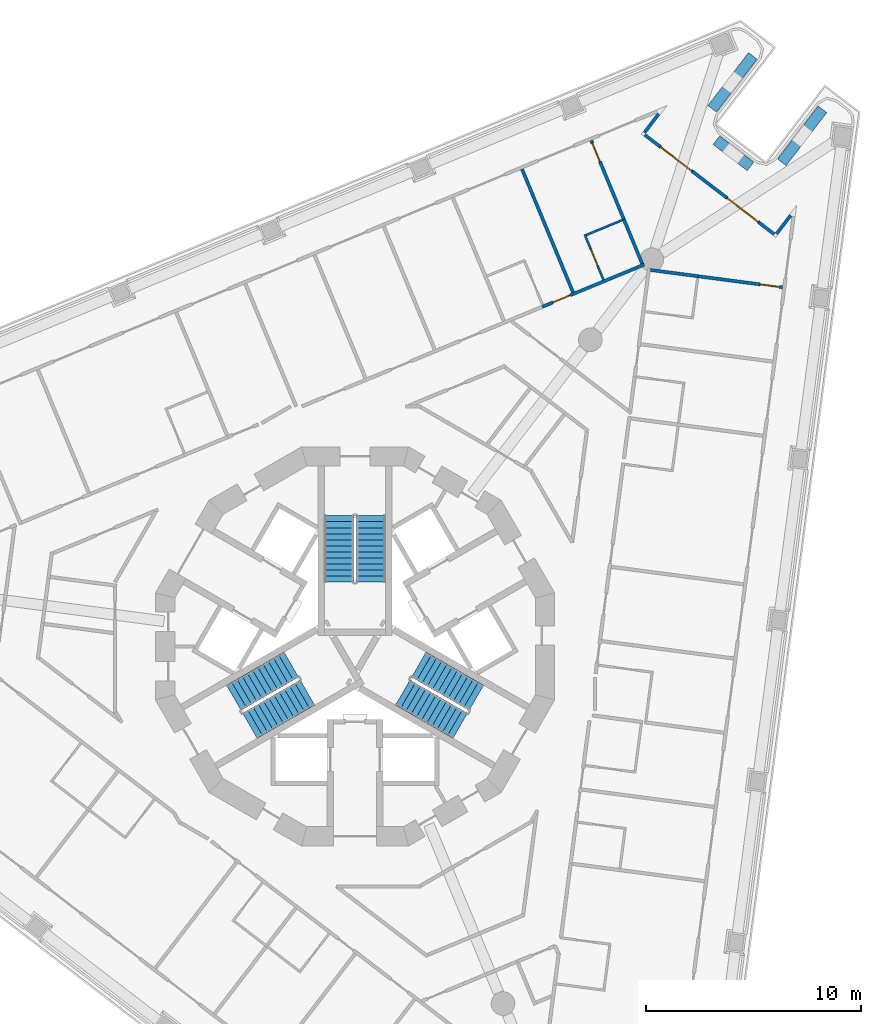
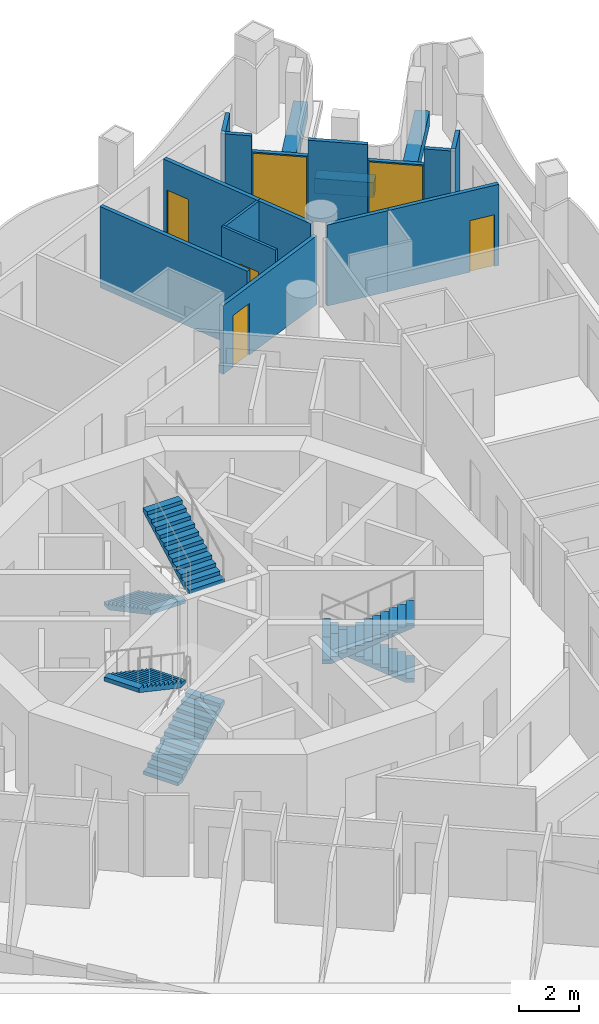
# One storey, part 10 of 17: 18 walls, 6 doors, 6 stair flights, 6 openings, 3 elements without a shape of their own.
"""IFC4 building model written with IfcOpenShell, lengths in metres."""

from ifc_helpers import new_model, si_unit, direction, frame, frame_2d, origin, place, context, subcontext, project, spatial, polyline, rectangle, outline, extrude, material, layer, layer_set, type_object, element, fill, aggregate, save


model = new_model("IFC4")

# Units and contexts
model_context = context("Model", 3, precision=1e-05, world=origin(), true_north=direction((0.0, 1.0)))
body_context = subcontext(model_context, "Body", "Model", "MODEL_VIEW")
ifc_project = project(units=[si_unit("LENGTHUNIT", "METRE"), si_unit("AREAUNIT", "SQUARE_METRE"), si_unit("VOLUMEUNIT", "CUBIC_METRE"), si_unit("PLANEANGLEUNIT", "RADIAN"), si_unit("MASSUNIT", "GRAM", prefix="KILO")], contexts=[model_context])

# Site, building, storey
site_placement = place(None, origin())
site = spatial("IfcSite", under=ifc_project, at=site_placement, CompositionType="ELEMENT")
building_placement = place(site_placement, origin())
building = spatial("IfcBuilding", under=site, at=building_placement, Name="Trine Commons Tower", CompositionType="ELEMENT")
storey_placement = place(building_placement, frame((0.0, 0.0, 127.800048828125)))
storey = spatial("IfcBuildingStorey", under=building, at=storey_placement, Name="L32", CompositionType="ELEMENT", Elevation=127.800048828125)

# Walls
ifc_material_1 = material(Name="Aluminium-framed insulated wall panel", Category="aluminium")
ifc_layer_1 = layer(ifc_material_1, 0.14990234375)
ifc_layer_set_1 = layer_set([ifc_layer_1], Name="Aluminium-framed insulated wall panel")
wall_type_1 = type_object("IfcWallType", Name="Glazed frame wall 150, EI 60", PredefinedType="SOLIDWALL", material=ifc_layer_set_1)
wall_1_placement = place(storey_placement, frame((94.193115234375, 87.345703125, 0.0), z_axis=(0.0, 0.0, 1.0), x_axis=(-0.608762998157, -0.793352136239, 0.0)))
element("IfcWall", 1, at=wall_1_placement, inside=storey, type_object=wall_type_1, Name="Glazed frame wall R5", PredefinedType="SOLIDWALL", context=body_context, shape_type="SweptSolid", body=[
    extrude(outline(polyline([(0.1494140625, 0.074951171875), (0.1494140625, -0.074951171875), (1.235107421875, -0.074951171875), (1.235107421875, 0.074951171875), (0.1494140625, 0.074951171875)])), origin(), (0.0, 0.0, 1.0), 3.300048828125),
])
wall_2_placement = place(storey_placement, frame((93.36767578125, 86.32763671875, 0.0), z_axis=(0.0, 0.0, 1.0), x_axis=(0.793331259853, -0.608790203715, 0.0)))
element("IfcWall", 2, at=wall_2_placement, inside=storey, type_object=wall_type_1, Name="Glazed frame wall P2.1", PredefinedType="SOLIDWALL", context=body_context, shape_type="SweptSolid", body=[
    extrude(outline(polyline([(0.110107421875, -0.074951171875), (1.0, -0.074951171875), (1.0, 0.074951171875), (0.110107421875, 0.074951171875), (0.110107421875, -0.074951171875)])), origin(), (0.0, 0.0, 1.0), 3.300048828125),
])

# Wall, opening, door
wall_3_placement = place(storey_placement, frame((94.1611328125, 85.71875, 0.0), z_axis=(0.0, 0.0, 1.0), x_axis=(0.793382932281, -0.608722862036, 0.0)))
wall_3 = element("IfcWall", 3, at=wall_3_placement, inside=storey, type_object=wall_type_1, Name="Glazed frame wall P2.2", PredefinedType="SOLIDWALL", context=body_context, shape_type="SweptSolid", body=[
    extrude(outline(polyline([(0.0, -0.074951171875), (1.89990234375, -0.074951171875), (1.89990234375, 0.074951171875), (0.0, 0.074951171875), (0.0, -0.074951171875)])), origin(), (0.0, 0.0, 1.0), 2.64990234375),
])
opening_1_placement = place(wall_3_placement, frame((0.050048828125, 0.0, 0.0)))
opening_1 = element("IfcOpeningElement", 4, at=opening_1_placement, cuts=wall_3, Name="Opening BD-4P2-01", PredefinedType="OPENING", context=body_context, shape_type="SweptSolid", body=[
    extrude(rectangle(XDim=1.800048828125, YDim=2.60009765625, at=frame_2d((0.89990234375, 1.300048828125))), frame((0.0, 0.0849609375, 0.0), z_axis=(0.0, -1.0, 0.0), x_axis=(1.0, 0.0, 0.0)), (0.0, 0.0, 1.0), 0.169921875),
])
ifc_material_2 = material(Name="Anodised aluminium frame with double glazing", Category="aluminium")
door_type_1 = type_object("IfcDoorType", Name="Sliding loggia door 1800x2600", OperationType="SLIDING_TO_LEFT", PredefinedType="DOOR", material=ifc_material_2)
door_1_placement = place(opening_1_placement, origin())
door_1 = element("IfcDoor", 5, at=door_1_placement, inside=storey, type_object=door_type_1, Name="Loggia door P2 1", OperationType="SLIDING_TO_LEFT", OverallHeight=2.60009765625, OverallWidth=1.800048828125, PredefinedType="DOOR", context=body_context, shape_type="SweptSolid", body=[
    extrude(rectangle(XDim=1.800048828125, YDim=2.60009765625, at=frame_2d((0.89990234375, 1.300048828125))), frame((0.0, 0.02490234375, 0.0), z_axis=(0.0, -1.0, 0.0), x_axis=(1.0, 0.0, 0.0)), (0.0, 0.0, 1.0), 0.050048828125),
])
fill(opening_1, door_1)

# Wall
wall_4_placement = place(storey_placement, frame((95.66845703125, 84.562255859375, 0.0), z_axis=(0.0, 0.0, 1.0), x_axis=(0.793344974033, -0.608772331974, 0.0)))
element("IfcWall", 6, at=wall_4_placement, inside=storey, type_object=wall_type_1, Name="Glazed frame wall P2.3", PredefinedType="SOLIDWALL", context=body_context, shape_type="SweptSolid", body=[
    extrude(outline(polyline([(0.0, -0.074951171875), (2.0, -0.074951171875), (2.0, 0.074951171875), (0.0, 0.074951171875), (0.0, -0.074951171875)])), origin(), (0.0, 0.0, 1.0), 3.300048828125),
])

# Wall, opening, door
wall_5_placement = place(storey_placement, frame((97.255126953125, 83.3447265625, 0.0), z_axis=(0.0, 0.0, 1.0), x_axis=(0.793320872023, -0.608803740143, 0.0)))
wall_5 = element("IfcWall", 7, at=wall_5_placement, inside=storey, type_object=wall_type_1, Name="Glazed frame wall P2.4", PredefinedType="SOLIDWALL", context=body_context, shape_type="SweptSolid", body=[
    extrude(outline(polyline([(0.0, -0.074951171875), (1.89990234375, -0.074951171875), (1.89990234375, 0.074951171875), (0.0, 0.074951171875), (0.0, -0.074951171875)])), origin(), (0.0, 0.0, 1.0), 2.64990234375),
])
opening_2_placement = place(wall_5_placement, frame((0.050048828125, 0.0, 0.0)))
opening_2 = element("IfcOpeningElement", 8, at=opening_2_placement, cuts=wall_5, Name="Opening BD-4P2-02", PredefinedType="OPENING", context=body_context, shape_type="SweptSolid", body=[
    extrude(rectangle(XDim=1.800048828125, YDim=2.60009765625, at=frame_2d((0.89990234375, 1.300048828125))), frame((0.0, 0.0849609375, 0.0), z_axis=(0.0, -1.0, 0.0), x_axis=(1.0, 0.0, 0.0)), (0.0, 0.0, 1.0), 0.169921875),
])
door_2_placement = place(opening_2_placement, origin())
door_2 = element("IfcDoor", 9, at=door_2_placement, inside=storey, type_object=door_type_1, Name="Loggia door P2 2", OperationType="SLIDING_TO_LEFT", OverallHeight=2.60009765625, OverallWidth=1.800048828125, PredefinedType="DOOR", context=body_context, shape_type="SweptSolid", body=[
    extrude(rectangle(XDim=1.800048828125, YDim=2.60009765625, at=frame_2d((0.89990234375, 1.300048828125))), frame((0.0, 0.02490234375, 0.0), z_axis=(0.0, -1.0, 0.0), x_axis=(1.0, 0.0, 0.0)), (0.0, 0.0, 1.0), 0.050048828125),
])
fill(opening_2, door_2)

# Walls
wall_6_placement = place(storey_placement, frame((98.762451171875, 82.18798828125, 0.0), z_axis=(0.0, 0.0, 1.0), x_axis=(0.793449156962, -0.60863653794, 0.0)))
element("IfcWall", 10, at=wall_6_placement, inside=storey, type_object=wall_type_1, Name="Glazed frame wall P2.5", PredefinedType="SOLIDWALL", context=body_context, shape_type="SweptSolid", body=[
    extrude(outline(polyline([(0.889892578125, 0.074951171875), (0.0, 0.074951171875), (0.0, -0.074951171875), (0.889892578125, -0.074951171875), (0.889892578125, 0.074951171875)])), origin(), (0.0, 0.0, 1.0), 3.300048828125),
])
wall_7_placement = place(storey_placement, frame((99.5068359375, 81.57275390625, 0.0), z_axis=(0.0, 0.0, 1.0), x_axis=(0.608762998157, 0.793352136239, 0.0)))
element("IfcWall", 11, at=wall_7_placement, inside=storey, type_object=wall_type_1, Name="Glazed frame wall R7", PredefinedType="SOLIDWALL", context=body_context, shape_type="SweptSolid", body=[
    extrude(outline(polyline([(0.110107421875, 0.074951171875), (0.110107421875, -0.074951171875), (1.19580078125, -0.074951171875), (1.19580078125, 0.074951171875), (0.110107421875, 0.074951171875)])), origin(), (0.0, 0.0, 1.0), 3.300048828125),
])
ifc_material_3 = material(Name="Planter trough, precast concrete C40/50", Category="concrete")
ifc_layer_2 = layer(ifc_material_3, 0.5)
ifc_layer_set_2 = layer_set([ifc_layer_2], Name="Planter trough, precast concrete C40/50")
wall_type_2 = type_object("IfcWallType", Name="Planter trough 500x600", PredefinedType="PARAPET", material=ifc_layer_set_2)
wall_8_placement = place(storey_placement, frame((98.474609375, 89.927490234375, 0.0), z_axis=(0.0, 0.0, 1.0), x_axis=(-0.608796883945, -0.793326133503, 0.0)))
element("IfcWall", 12, at=wall_8_placement, inside=storey, type_object=wall_type_2, Name="Planter 4", PredefinedType="PARAPET", context=body_context, shape_type="SweptSolid", body=[
    extrude(rectangle(XDim=3.099853515625, YDim=0.5, at=frame_2d((1.5498046875, 0.0))), origin(), (0.0, 0.0, 1.0), 0.599853515625),
])
wall_9_placement = place(storey_placement, frame((96.779296875, 86.010009765625, 0.0), z_axis=(0.0, 0.0, 1.0), x_axis=(0.793390207748, -0.608713379391, 0.0)))
element("IfcWall", 13, at=wall_9_placement, inside=storey, type_object=wall_type_2, Name="Planter 5", PredefinedType="PARAPET", context=body_context, shape_type="SweptSolid", body=[
    extrude(rectangle(XDim=2.000244140625, YDim=0.5, at=frame_2d((1.0, 0.0))), origin(), (0.0, 0.0, 1.0), 0.599853515625),
])
wall_10_placement = place(storey_placement, frame((99.82421875, 84.984619140625, 0.0), z_axis=(0.0, 0.0, 1.0), x_axis=(0.608796883945, 0.793326133503, 0.0)))
element("IfcWall", 14, at=wall_10_placement, inside=storey, type_object=wall_type_2, Name="Planter 6", PredefinedType="PARAPET", context=body_context, shape_type="SweptSolid", body=[
    extrude(rectangle(XDim=3.099853515625, YDim=0.5, at=frame_2d((1.5498046875, 0.0))), origin(), (0.0, 0.0, 1.0), 0.599853515625),
])
ifc_material_4 = material(Name="Gypsum plasterboard on steel stud", Category="steel")
ifc_layer_3 = layer(ifc_material_4, 0.14990234375)
ifc_layer_set_3 = layer_set([ifc_layer_3], Name="Gypsum plasterboard on steel stud")
wall_type_3 = type_object("IfcWallType", Name="Unit and corridor wall 150 mm, EI 60", PredefinedType="PARTITIONING", material=ifc_layer_set_3)
wall_11_placement = place(storey_placement, frame((87.75537109375, 84.66796875, 0.0), z_axis=(0.0, 0.0, 1.0), x_axis=(0.382666303598, -0.923886627293, 0.0)))
element("IfcWall", 15, at=wall_11_placement, inside=storey, type_object=wall_type_3, Name="Partition 086", PredefinedType="PARTITIONING", context=body_context, shape_type="SweptSolid", body=[
    extrude(rectangle(XDim=6.193115234375, YDim=0.14990234375, at=frame_2d((3.0966796875, 0.0))), origin(), (0.0, 0.0, 1.0), 3.300048828125),
])

# Wall, opening, door
wall_12_placement = place(storey_placement, frame((88.69287109375, 78.27197265625, 0.0), z_axis=(0.0, 0.0, 1.0), x_axis=(0.92395946552, 0.382490399978, 0.0)))
wall_12 = element("IfcWall", 16, at=wall_12_placement, inside=storey, type_object=wall_type_3, Name="Partition 096", PredefinedType="PARTITIONING", context=body_context, shape_type="SweptSolid", body=[
    extrude(rectangle(XDim=5.1337890625, YDim=0.14990234375, at=frame_2d((2.56689453125, 0.0))), origin(), (0.0, 0.0, 1.0), 2.800048828125),
])
opening_3_placement = place(wall_12_placement, frame((0.531494140625, 0.0, 0.0)))
opening_3 = element("IfcOpeningElement", 17, at=opening_3_placement, cuts=wall_12, Name="Opening D-4A13", PredefinedType="OPENING", context=body_context, shape_type="SweptSolid", body=[
    extrude(rectangle(XDim=0.89990234375, YDim=2.10009765625, at=frame_2d((0.449951171875, 1.050048828125))), frame((0.0, 0.0849609375, 0.0), z_axis=(0.0, -1.0, 0.0), x_axis=(1.0, 0.0, 0.0)), (0.0, 0.0, 1.0), 0.169921875),
])
ifc_material_5 = material(Name="Timber fire door set", Category="wood")
door_type_2 = type_object("IfcDoorType", Name="Bedroom door 900 x 2100, FD30S", OperationType="NOTDEFINED", PredefinedType="DOOR", material=ifc_material_5)
door_3_placement = place(opening_3_placement, origin())
door_3 = element("IfcDoor", 18, at=door_3_placement, inside=storey, type_object=door_type_2, Name="Door D-4A13", OperationType="SINGLE_SWING_LEFT", OverallHeight=2.10009765625, OverallWidth=0.89990234375, PredefinedType="DOOR", context=body_context, shape_type="SweptSolid", body=[
    extrude(rectangle(XDim=0.89990234375, YDim=2.10009765625, at=frame_2d((0.449951171875, 1.050048828125))), frame((0.0, 0.02490234375, 0.0), z_axis=(0.0, -1.0, 0.0), x_axis=(1.0, 0.0, 0.0)), (0.0, 0.0, 1.0), 0.050048828125),
])
fill(opening_3, door_3)

wall_13_placement = place(storey_placement, frame((90.96826171875, 85.9990234375, 0.0), z_axis=(0.0, 0.0, 1.0), x_axis=(0.382692977479, -0.923875578738, 0.0)))
wall_13 = element("IfcWall", 19, at=wall_13_placement, inside=storey, type_object=wall_type_3, Name="Partition 114", PredefinedType="PARTITIONING", context=body_context, shape_type="SweptSolid", body=[
    extrude(rectangle(XDim=4.023681640625, YDim=0.14990234375, at=frame_2d((2.01171875, 0.0))), origin(), (0.0, 0.0, 1.0), 3.300048828125),
])
opening_4_placement = place(wall_13_placement, frame((0.14990234375, 0.0, 0.0)))
opening_4 = element("IfcOpeningElement", 20, at=opening_4_placement, cuts=wall_13, Name="Opening D-4A14", PredefinedType="OPENING", context=body_context, shape_type="SweptSolid", body=[
    extrude(rectangle(XDim=0.89990234375, YDim=2.10009765625, at=frame_2d((0.449951171875, 1.050048828125))), frame((0.0, 0.0849609375, 0.0), z_axis=(0.0, -1.0, 0.0), x_axis=(1.0, 0.0, 0.0)), (0.0, 0.0, 1.0), 0.169921875),
])
door_4_placement = place(opening_4_placement, frame((0.89990234375, 0.0, 0.0), z_axis=(0.0, 0.0, 1.0), x_axis=(-1.0, 0.0, 0.0)))
door_4 = element("IfcDoor", 21, at=door_4_placement, inside=storey, type_object=door_type_2, Name="Door D-4A14", OperationType="SINGLE_SWING_RIGHT", OverallHeight=2.10009765625, OverallWidth=0.89990234375, PredefinedType="DOOR", context=body_context, shape_type="SweptSolid", body=[
    extrude(rectangle(XDim=0.89990234375, YDim=2.10009765625, at=frame_2d((0.449951171875, 1.050048828125))), frame((0.0, 0.02490234375, 0.0), z_axis=(0.0, -1.0, 0.0), x_axis=(1.0, 0.0, 0.0)), (0.0, 0.0, 1.0), 0.050048828125),
])
fill(opening_4, door_4)

# Walls
wall_14_placement = place(storey_placement, frame((92.486083984375, 82.3359375, 0.0), z_axis=(0.0, 0.0, 1.0), x_axis=(0.382374366103, -0.924007491391, 0.0)))
element("IfcWall", 22, at=wall_14_placement, inside=storey, type_object=wall_type_3, Name="Partition 126", PredefinedType="PARTITIONING", context=body_context, shape_type="SweptSolid", body=[
    extrude(rectangle(XDim=2.22900390625, YDim=0.14990234375, at=frame_2d((1.114501953125, 0.0))), origin(), (0.0, 0.0, 1.0), 3.300048828125),
])
wall_15_placement = place(storey_placement, frame((93.718505859375, 79.984130859375, 0.0), z_axis=(0.0, 0.0, 1.0), x_axis=(0.991444602233, -0.130528160577, 0.0)))
element("IfcWall", 23, at=wall_15_placement, inside=storey, type_object=wall_type_3, Name="Partition 137", PredefinedType="PARTITIONING", context=body_context, shape_type="SweptSolid", body=[
    extrude(rectangle(XDim=2.2294921875, YDim=0.14990234375, at=frame_2d((1.11474609375, 0.0))), origin(), (0.0, 0.0, 1.0), 3.300048828125),
])

# Wall, opening, door
wall_16_placement = place(storey_placement, frame((95.871337890625, 79.700439453125, 0.0), z_axis=(0.0, 0.0, 1.0), x_axis=(0.991472672227, -0.130314773632, 0.0)))
wall_16 = element("IfcWall", 24, at=wall_16_placement, inside=storey, type_object=wall_type_3, Name="Partition 141", PredefinedType="PARTITIONING", context=body_context, shape_type="SweptSolid", body=[
    extrude(rectangle(XDim=4.022216796875, YDim=0.14990234375, at=frame_2d((2.01123046875, 0.0))), origin(), (0.0, 0.0, 1.0), 3.300048828125),
])
opening_5_placement = place(wall_16_placement, frame((2.972412109375, 0.0, 0.0)))
opening_5 = element("IfcOpeningElement", 25, at=opening_5_placement, cuts=wall_16, Name="Opening D-4A15", PredefinedType="OPENING", context=body_context, shape_type="SweptSolid", body=[
    extrude(rectangle(XDim=0.89990234375, YDim=2.10009765625, at=frame_2d((0.449951171875, 1.050048828125))), frame((0.0, 0.0849609375, 0.0), z_axis=(0.0, -1.0, 0.0), x_axis=(1.0, 0.0, 0.0)), (0.0, 0.0, 1.0), 0.169921875),
])
door_5_placement = place(opening_5_placement, frame((0.89990234375, 0.0, 0.0), z_axis=(0.0, 0.0, 1.0), x_axis=(-1.0, 0.0, 0.0)))
door_5 = element("IfcDoor", 26, at=door_5_placement, inside=storey, type_object=door_type_2, Name="Door D-4A15", OperationType="SINGLE_SWING_LEFT", OverallHeight=2.10009765625, OverallWidth=0.89990234375, PredefinedType="DOOR", context=body_context, shape_type="SweptSolid", body=[
    extrude(rectangle(XDim=0.89990234375, YDim=2.10009765625, at=frame_2d((0.449951171875, 1.050048828125))), frame((0.0, 0.02490234375, 0.0), z_axis=(0.0, -1.0, 0.0), x_axis=(1.0, 0.0, 0.0)), (0.0, 0.0, 1.0), 0.050048828125),
])
fill(opening_5, door_5)

ifc_layer_4 = layer(ifc_material_4, 0.10009765625)
ifc_layer_set_4 = layer_set([ifc_layer_4], Name="Gypsum plasterboard on steel stud")
wall_type_4 = type_object("IfcWallType", Name="Unit partition 100 mm, no rating", PredefinedType="PARTITIONING", material=ifc_layer_set_4)
wall_17_placement = place(storey_placement, frame((90.666015625, 81.632080078125, 0.0), z_axis=(0.0, 0.0, 1.0), x_axis=(0.382595073996, -0.923916126796, 0.0)))
wall_17 = element("IfcWall", 27, at=wall_17_placement, inside=storey, type_object=wall_type_4, Name="Partition 112", PredefinedType="PARTITIONING", context=body_context, shape_type="SweptSolid", body=[
    extrude(rectangle(XDim=2.27490234375, YDim=0.10009765625, at=frame_2d((1.137451171875, 0.0))), origin(), (0.0, 0.0, 1.0), 3.300048828125),
])
opening_6_placement = place(wall_17_placement, frame((0.7626953125, 0.0, 0.0)))
opening_6 = element("IfcOpeningElement", 28, at=opening_6_placement, cuts=wall_17, Name="Opening D-4A43", PredefinedType="OPENING", context=body_context, shape_type="SweptSolid", body=[
    extrude(rectangle(XDim=0.800048828125, YDim=2.10009765625, at=frame_2d((0.39990234375, 1.050048828125))), frame((0.0, 0.06005859375, 0.0), z_axis=(0.0, -1.0, 0.0), x_axis=(1.0, 0.0, 0.0)), (0.0, 0.0, 1.0), 0.1201171875),
])
ifc_material_6 = material(Name="Painted timber", Category="wood")
door_type_3 = type_object("IfcDoorType", Name="Internal door 800 x 2100, NOT RATED", OperationType="NOTDEFINED", PredefinedType="DOOR", material=ifc_material_6)
door_6_placement = place(opening_6_placement, frame((0.800048828125, 0.0, 0.0), z_axis=(0.0, 0.0, 1.0), x_axis=(-1.0, 0.0, 0.0)))
door_6 = element("IfcDoor", 29, at=door_6_placement, inside=storey, type_object=door_type_3, Name="Door D-4A43", OperationType="SINGLE_SWING_LEFT", OverallHeight=2.10009765625, OverallWidth=0.800048828125, PredefinedType="DOOR", context=body_context, shape_type="SweptSolid", body=[
    extrude(rectangle(XDim=0.800048828125, YDim=2.10009765625, at=frame_2d((0.39990234375, 1.050048828125))), frame((0.0, 0.02490234375, 0.0), z_axis=(0.0, -1.0, 0.0), x_axis=(1.0, 0.0, 0.0)), (0.0, 0.0, 1.0), 0.050048828125),
])
fill(opening_6, door_6)

# Wall
wall_18_placement = place(storey_placement, frame((90.731201171875, 81.60498046875, 0.0), z_axis=(0.0, 0.0, 1.0), x_axis=(0.923945120737, 0.382525049986, 0.0)))
element("IfcWall", 30, at=wall_18_placement, inside=storey, type_object=wall_type_4, Name="Partition 113", PredefinedType="PARTITIONING", context=body_context, shape_type="SweptSolid", body=[
    extrude(rectangle(XDim=1.825439453125, YDim=0.10009765625, at=frame_2d((0.91259765625, 0.0))), origin(), (0.0, 0.0, 1.0), 3.300048828125),
])

# Stair, stair flights
ifc_material_7 = material(Name="Concrete C50/60", Category="concrete")
stair_type = type_object("IfcStairType", Name="Exit stair, dog-leg, 24 risers of 150 mm", PredefinedType="HALF_TURN_STAIR", material=ifc_material_7)
stair_1_placement = place(storey_placement, origin())
stair_1 = element("IfcStair", 31, at=stair_1_placement, inside=storey, type_object=stair_type, Name="L32 Exit stair ST1B", PredefinedType="HALF_TURN_STAIR")
stair_flight_type = type_object("IfcStairFlightType", Name="Stair flight, 1350 wide, 12 risers of 150 mm", PredefinedType="STRAIGHT", material=ifc_material_7)
stair_flight_1_placement = place(storey_placement, frame((79.25, 68.570556640625, 0.0), z_axis=(0.0, 0.0, 1.0), x_axis=(0.0, -1.0, 0.0)))
stair_flight_1 = element("IfcStairFlight", 32, at=stair_flight_1_placement, type_object=stair_flight_type, Name="ST1B flight 1", NumberOfRisers=12, NumberOfTreads=11, PredefinedType="STRAIGHT", RiserHeight=0.15, TreadLength=0.28, context=body_context, shape_type="SweptSolid", body=[
    extrude(outline(polyline([(0.0, 0.0), (0.0, 0.14990234375), (0.280029296875, 0.14990234375), (0.280029296875, 0.300048828125), (0.56005859375, 0.300048828125), (0.56005859375, 0.449951171875), (0.840087890625, 0.449951171875), (0.840087890625, 0.60009765625), (1.1201171875, 0.60009765625), (1.1201171875, 0.75), (1.39990234375, 0.75), (1.39990234375, 0.89990234375), (1.679931640625, 0.89990234375), (1.679931640625, 1.050048828125), (1.9599609375, 1.050048828125), (1.9599609375, 1.199951171875), (2.239990234375, 1.199951171875), (2.239990234375, 1.35009765625), (2.52001953125, 1.35009765625), (2.52001953125, 1.5), (2.800048828125, 1.5), (2.800048828125, 1.64990234375), (3.080078125, 1.64990234375), (3.080078125, 1.800048828125), (3.080078125, 1.47998046875), (0.3173828125, 0.0), (0.0, 0.0)])), frame((0.0, 0.675048828125, 0.0), z_axis=(0.0, -1.0, 0.0), x_axis=(1.0, 0.0, 0.0)), (0.0, 0.0, 1.0), 1.35009765625),
])
stair_flight_2_placement = place(storey_placement, frame((80.75, 65.490478515625, 1.800048828125), z_axis=(0.0, 0.0, 1.0), x_axis=(0.0, 1.0, 0.0)))
stair_flight_2 = element("IfcStairFlight", 33, at=stair_flight_2_placement, type_object=stair_flight_type, Name="ST1B flight 2", NumberOfRisers=12, NumberOfTreads=11, PredefinedType="STRAIGHT", RiserHeight=0.15, TreadLength=0.28, context=body_context, shape_type="SweptSolid", body=[
    extrude(outline(polyline([(0.0, 0.0), (0.0, 0.14990234375), (0.280029296875, 0.14990234375), (0.280029296875, 0.300048828125), (0.56005859375, 0.300048828125), (0.56005859375, 0.449951171875), (0.840087890625, 0.449951171875), (0.840087890625, 0.60009765625), (1.1201171875, 0.60009765625), (1.1201171875, 0.75), (1.39990234375, 0.75), (1.39990234375, 0.89990234375), (1.679931640625, 0.89990234375), (1.679931640625, 1.050048828125), (1.9599609375, 1.050048828125), (1.9599609375, 1.199951171875), (2.239990234375, 1.199951171875), (2.239990234375, 1.35009765625), (2.52001953125, 1.35009765625), (2.52001953125, 1.5), (2.800048828125, 1.5), (2.800048828125, 1.64990234375), (3.080078125, 1.64990234375), (3.080078125, 1.800048828125), (3.080078125, 1.47998046875), (0.3173828125, 0.0), (0.0, 0.0)])), frame((0.0, 0.675048828125, 0.0), z_axis=(0.0, -1.0, 0.0), x_axis=(1.0, 0.0, 0.0)), (0.0, 0.0, 1.0), 1.35009765625),
])
aggregate(stair_1, [stair_flight_1, stair_flight_2])

stair_2_placement = place(storey_placement, origin())
stair_2 = element("IfcStair", 34, at=stair_2_placement, inside=storey, type_object=stair_type, Name="L32 Exit stair ST2B", PredefinedType="HALF_TURN_STAIR")
stair_flight_3_placement = place(storey_placement, frame((75.11767578125, 58.815185546875, 0.0), z_axis=(0.0, 0.0, 1.0), x_axis=(0.866025403784, 0.5, 0.0)))
stair_flight_3 = element("IfcStairFlight", 35, at=stair_flight_3_placement, type_object=stair_flight_type, Name="ST2B flight 1", NumberOfRisers=12, NumberOfTreads=11, PredefinedType="STRAIGHT", RiserHeight=0.15, TreadLength=0.28, context=body_context, shape_type="SweptSolid", body=[
    extrude(outline(polyline([(0.0, 0.0), (0.0, 0.14990234375), (0.280029296875, 0.14990234375), (0.280029296875, 0.300048828125), (0.56005859375, 0.300048828125), (0.56005859375, 0.449951171875), (0.840087890625, 0.449951171875), (0.840087890625, 0.60009765625), (1.1201171875, 0.60009765625), (1.1201171875, 0.75), (1.39990234375, 0.75), (1.39990234375, 0.89990234375), (1.679931640625, 0.89990234375), (1.679931640625, 1.050048828125), (1.9599609375, 1.050048828125), (1.9599609375, 1.199951171875), (2.239990234375, 1.199951171875), (2.239990234375, 1.35009765625), (2.52001953125, 1.35009765625), (2.52001953125, 1.5), (2.800048828125, 1.5), (2.800048828125, 1.64990234375), (3.080078125, 1.64990234375), (3.080078125, 1.800048828125), (3.080078125, 1.47998046875), (0.3173828125, 0.0), (0.0, 0.0)])), frame((0.0, 0.675048828125, 0.0), z_axis=(0.0, -1.0, 0.0), x_axis=(1.0, 0.0, 0.0)), (0.0, 0.0, 1.0), 1.35009765625),
])
stair_flight_4_placement = place(storey_placement, frame((77.03515625, 61.654296875, 1.800048828125), z_axis=(0.0, 0.0, 1.0), x_axis=(-0.866025403784, -0.5, 0.0)))
stair_flight_4 = element("IfcStairFlight", 36, at=stair_flight_4_placement, type_object=stair_flight_type, Name="ST2B flight 2", NumberOfRisers=12, NumberOfTreads=11, PredefinedType="STRAIGHT", RiserHeight=0.15, TreadLength=0.28, context=body_context, shape_type="SweptSolid", body=[
    extrude(outline(polyline([(0.0, 0.0), (0.0, 0.14990234375), (0.280029296875, 0.14990234375), (0.280029296875, 0.300048828125), (0.56005859375, 0.300048828125), (0.56005859375, 0.449951171875), (0.840087890625, 0.449951171875), (0.840087890625, 0.60009765625), (1.1201171875, 0.60009765625), (1.1201171875, 0.75), (1.39990234375, 0.75), (1.39990234375, 0.89990234375), (1.679931640625, 0.89990234375), (1.679931640625, 1.050048828125), (1.9599609375, 1.050048828125), (1.9599609375, 1.199951171875), (2.239990234375, 1.199951171875), (2.239990234375, 1.35009765625), (2.52001953125, 1.35009765625), (2.52001953125, 1.5), (2.800048828125, 1.5), (2.800048828125, 1.64990234375), (3.080078125, 1.64990234375), (3.080078125, 1.800048828125), (3.080078125, 1.47998046875), (0.3173828125, 0.0), (0.0, 0.0)])), frame((0.0, 0.675048828125, 0.0), z_axis=(0.0, -1.0, 0.0), x_axis=(1.0, 0.0, 0.0)), (0.0, 0.0, 1.0), 1.35009765625),
])
aggregate(stair_2, [stair_flight_3, stair_flight_4])

stair_3_placement = place(storey_placement, origin())
stair_3 = element("IfcStair", 37, at=stair_3_placement, inside=storey, type_object=stair_type, Name="L32 Exit stair ST3B", PredefinedType="HALF_TURN_STAIR")
stair_flight_5_placement = place(storey_placement, frame((85.63232421875, 60.1142578125, 0.0), z_axis=(0.0, 0.0, 1.0), x_axis=(-0.866025403784, 0.5, 0.0)))
stair_flight_5 = element("IfcStairFlight", 38, at=stair_flight_5_placement, type_object=stair_flight_type, Name="ST3B flight 1", NumberOfRisers=12, NumberOfTreads=11, PredefinedType="STRAIGHT", RiserHeight=0.15, TreadLength=0.28, context=body_context, shape_type="SweptSolid", body=[
    extrude(outline(polyline([(0.0, 0.0), (0.0, 0.14990234375), (0.280029296875, 0.14990234375), (0.280029296875, 0.300048828125), (0.56005859375, 0.300048828125), (0.56005859375, 0.449951171875), (0.840087890625, 0.449951171875), (0.840087890625, 0.60009765625), (1.1201171875, 0.60009765625), (1.1201171875, 0.75), (1.39990234375, 0.75), (1.39990234375, 0.89990234375), (1.679931640625, 0.89990234375), (1.679931640625, 1.050048828125), (1.9599609375, 1.050048828125), (1.9599609375, 1.199951171875), (2.239990234375, 1.199951171875), (2.239990234375, 1.35009765625), (2.52001953125, 1.35009765625), (2.52001953125, 1.5), (2.800048828125, 1.5), (2.800048828125, 1.64990234375), (3.080078125, 1.64990234375), (3.080078125, 1.800048828125), (3.080078125, 1.47998046875), (0.3173828125, 0.0), (0.0, 0.0)])), frame((0.0, 0.675048828125, 0.0), z_axis=(0.0, -1.0, 0.0), x_axis=(1.0, 0.0, 0.0)), (0.0, 0.0, 1.0), 1.35009765625),
])
stair_flight_6_placement = place(storey_placement, frame((82.21484375, 60.355224609375, 1.800048828125), z_axis=(0.0, 0.0, 1.0), x_axis=(0.866025403784, -0.5, 0.0)))
stair_flight_6 = element("IfcStairFlight", 39, at=stair_flight_6_placement, type_object=stair_flight_type, Name="ST3B flight 2", NumberOfRisers=12, NumberOfTreads=11, PredefinedType="STRAIGHT", RiserHeight=0.15, TreadLength=0.28, context=body_context, shape_type="SweptSolid", body=[
    extrude(outline(polyline([(0.0, 0.0), (0.0, 0.14990234375), (0.280029296875, 0.14990234375), (0.280029296875, 0.300048828125), (0.56005859375, 0.300048828125), (0.56005859375, 0.449951171875), (0.840087890625, 0.449951171875), (0.840087890625, 0.60009765625), (1.1201171875, 0.60009765625), (1.1201171875, 0.75), (1.39990234375, 0.75), (1.39990234375, 0.89990234375), (1.679931640625, 0.89990234375), (1.679931640625, 1.050048828125), (1.9599609375, 1.050048828125), (1.9599609375, 1.199951171875), (2.239990234375, 1.199951171875), (2.239990234375, 1.35009765625), (2.52001953125, 1.35009765625), (2.52001953125, 1.5), (2.800048828125, 1.5), (2.800048828125, 1.64990234375), (3.080078125, 1.64990234375), (3.080078125, 1.800048828125), (3.080078125, 1.47998046875), (0.3173828125, 0.0), (0.0, 0.0)])), frame((0.0, 0.675048828125, 0.0), z_axis=(0.0, -1.0, 0.0), x_axis=(1.0, 0.0, 0.0)), (0.0, 0.0, 1.0), 1.35009765625),
])
aggregate(stair_3, [stair_flight_5, stair_flight_6])

save(model, "model.ifc")
